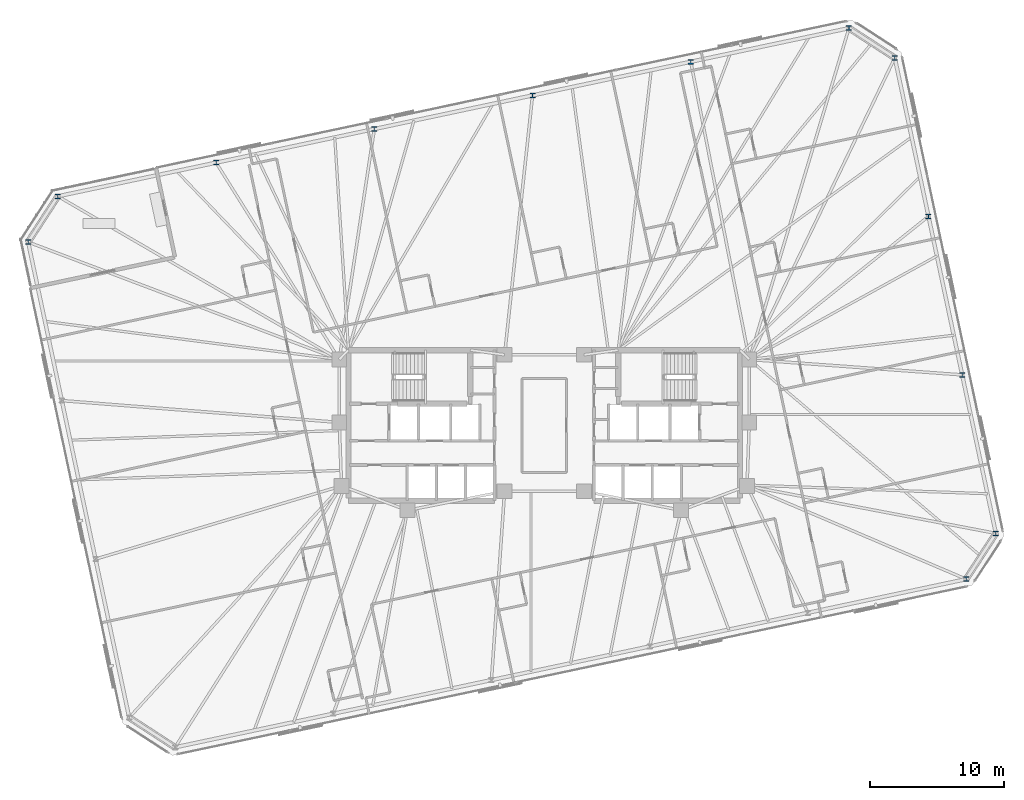
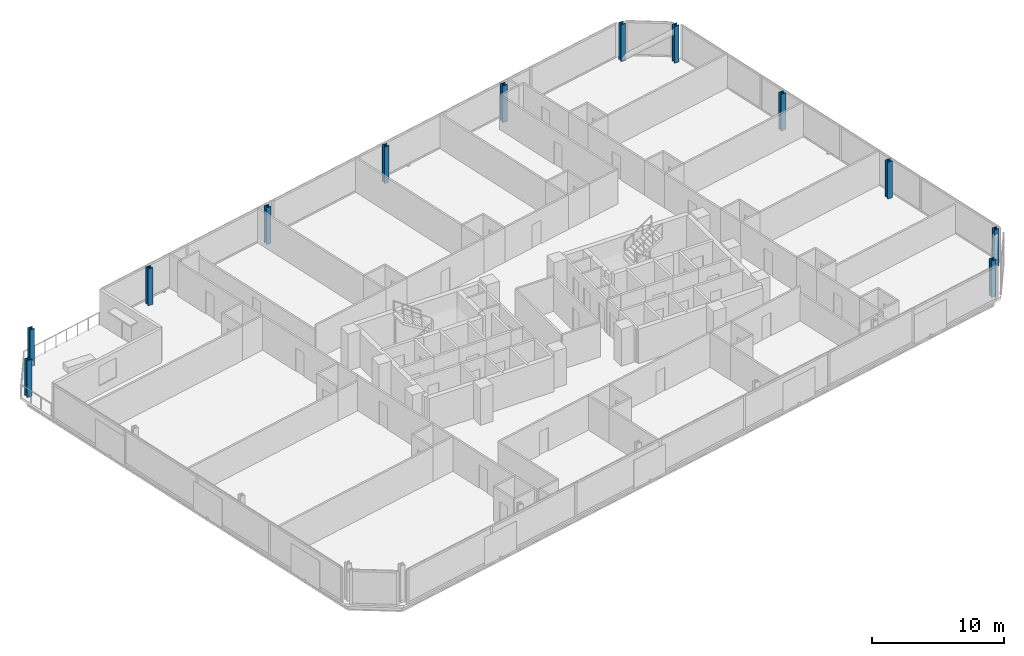
# One storey, part 5 of 20: 12 columns.
"""IFC4 building model written with IfcOpenShell, lengths in metres."""

from ifc_helpers import new_model, si_unit, direction, frame, origin, origin_2d, place, context, subcontext, project, spatial, i_section, extrude, material, material_profile, profile_set, type_object, element, save


model = new_model("IFC4")

# Units and contexts
model_context = context("Model", 3, precision=1e-05, world=origin(), true_north=direction((0.0, 1.0)))
body_context = subcontext(model_context, "Body", "Model", "MODEL_VIEW")
ifc_project = project(units=[si_unit("LENGTHUNIT", "METRE"), si_unit("AREAUNIT", "SQUARE_METRE"), si_unit("VOLUMEUNIT", "CUBIC_METRE"), si_unit("PLANEANGLEUNIT", "RADIAN"), si_unit("MASSUNIT", "GRAM", prefix="KILO")], contexts=[model_context])

# Site, building, storey
site_placement = place(None, origin())
site = spatial("IfcSite", under=ifc_project, at=site_placement, CompositionType="ELEMENT")
building_placement = place(site_placement, origin())
building = spatial("IfcBuilding", under=site, at=building_placement, Name="Menara Jurai Vektor", CompositionType="ELEMENT")
storey_placement = place(building_placement, frame((0.0, 0.0, 175.199951171875)))
storey = spatial("IfcBuildingStorey", under=building, at=storey_placement, Name="L45", CompositionType="ELEMENT", Elevation=175.199951171875)

# Columns
ifc_material = material(Name="Steel S460", Category="steel")
ifc_material_profile = material_profile(ifc_material, i_section(OverallWidth=0.408935546875, OverallDepth=0.3740234375, WebThickness=0.048095703125, FlangeThickness=0.076904296875, FilletRadius=0.014892578125, at=origin_2d()), Name="HD 400x634")
ifc_profile_set = profile_set([ifc_material_profile], Name="Steel S460")
column_type = type_object("IfcColumnType", Name="STR-EXO-BLK3", PredefinedType="COLUMN", material=ifc_profile_set)
for number, where, z_axis, x_axis, name in (
    (1, (31.376220703125, -11.438720703125, 0.0), (0.0, 0.0, 1.0), (1.0, 0.0, 0.0), "Exoskeleton Column BLK3-S6 L45"),
    (2, (33.588623046875, -8.031982421875, 0.0), (0.0, 0.0, 1.0), (1.0, 0.0, 0.0), "Exoskeleton Column BLK3-E1 L45"),
    (3, (31.082763671875, 3.75634765625, 0.0), (0.0, 0.0, 1.0), (1.0, 0.0, 0.0), "Exoskeleton Column BLK3-E2 L45"),
    (4, (28.5771484375, 15.544921875, 0.0), (0.0, 0.0, 1.0), (1.0, 0.0, 0.0), "Exoskeleton Column BLK3-E3 L45"),
    (5, (26.0712890625, 27.33349609375, 0.0), (0.0, 0.0, 1.0), (1.0, 0.0, 0.0), "Exoskeleton Column BLK3-E4 L45"),
    (6, (22.664794921875, 29.545654296875, 0.0), (0.0, 0.0, 1.0), (1.0, 0.0, 0.0), "Exoskeleton Column BLK3-N1 L45"),
    (7, (10.896484375, 27.044189453125, 0.0), (0.0, 0.0, 1.0), (1.0, 0.0, 0.0), "Exoskeleton Column BLK3-N2 L45"),
    (8, (-0.87158203125, 24.54296875, 0.0), (0.0, 0.0, 1.0), (1.0, 0.0, 0.0), "Exoskeleton Column BLK3-N3 L45"),
    (9, (-12.639892578125, 22.04150390625, 0.0), (0.0, 0.0, 1.0), (1.0, 0.0, 0.0), "Exoskeleton Column BLK3-N4 L45"),
    (10, (-24.407958984375, 19.5400390625, 0.0), (0.0, 0.0, 1.0), (1.0, 0.0, 0.0), "Exoskeleton Column BLK3-N5 L45"),
    (11, (-36.17626953125, 17.03857421875, 0.0), (0.0, 0.0, 1.0), (1.0, 0.0, 0.0), "Exoskeleton Column BLK3-N6 L45"),
    (12, (-38.388671875, 13.632080078125, 0.0), (0.0, 0.0, 1.0), (1.0, 0.0, 0.0), "Exoskeleton Column BLK3-W1 L45"),
):
    element("IfcColumn", number, at=place(storey_placement, frame(where, z_axis=z_axis, x_axis=x_axis)), inside=storey, type_object=column_type, Name=name, PredefinedType="COLUMN", context=body_context, shape_type="SweptSolid", body=[
        extrude(i_section(OverallWidth=0.408935546875, OverallDepth=0.3740234375, WebThickness=0.048095703125, FlangeThickness=0.076904296875, FilletRadius=0.014892578125, at=origin_2d()), origin(), (0.0, 0.0, 1.0), 3.400146484375),
    ])

save(model, "model.ifc")
